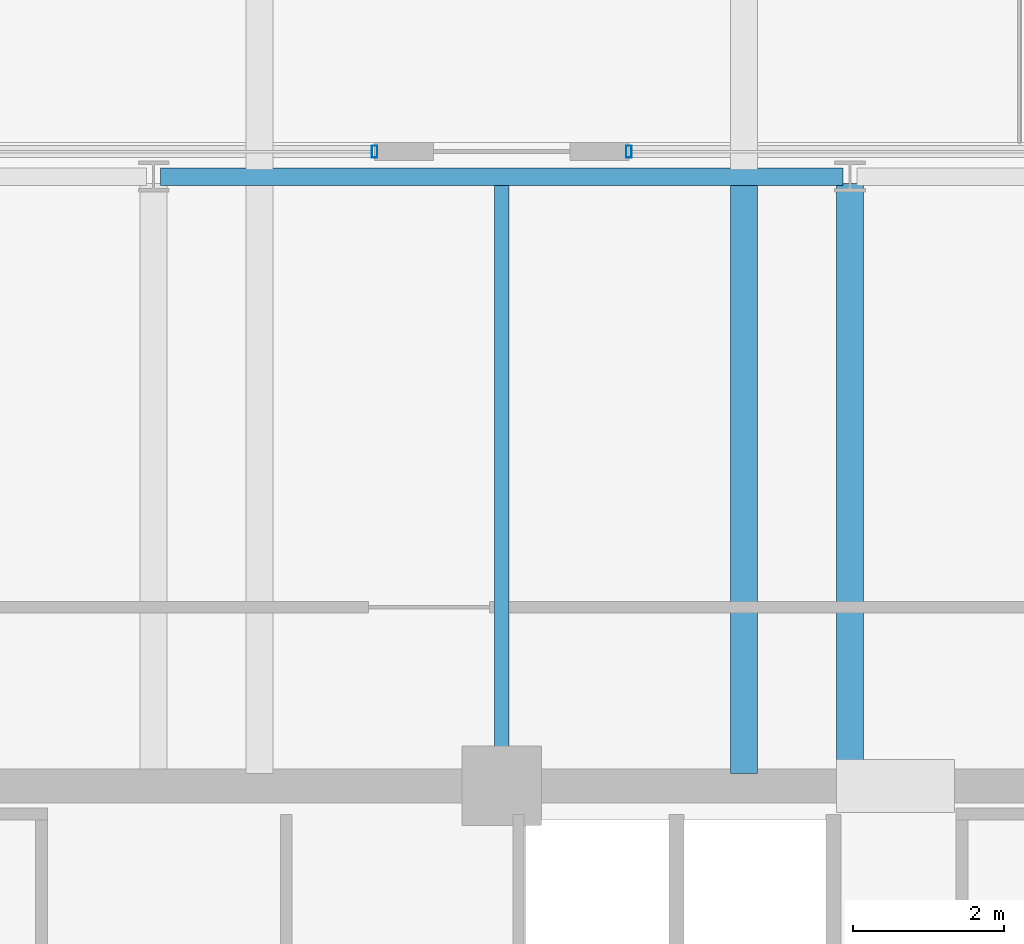
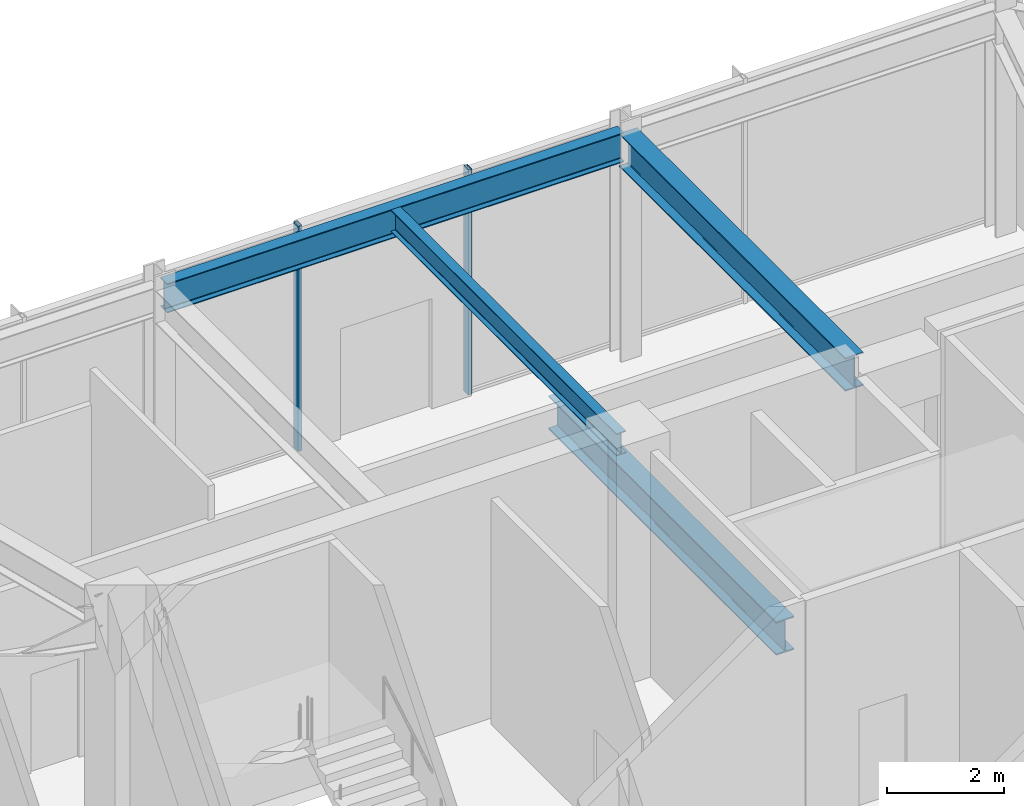
# One storey, part 17 of 31: 4 beams, 2 members, 2 elements without a shape of their own.
"""IFC4 building model written with IfcOpenShell, lengths in metres."""

from ifc_helpers import new_model, si_unit, direction, frame, origin, origin_2d, place, context, subcontext, project, spatial, hollow_rectangle, i_section, extrude, material, material_profile, profile_set, type_object, element, aggregate, save


model = new_model("IFC4")

# Units and contexts
model_context = context("Model", 3, precision=1e-05, world=origin(), true_north=direction((0.0, 1.0)))
body_context = subcontext(model_context, "Body", "Model", "MODEL_VIEW")
ifc_project = project(units=[si_unit("LENGTHUNIT", "METRE"), si_unit("AREAUNIT", "SQUARE_METRE"), si_unit("VOLUMEUNIT", "CUBIC_METRE"), si_unit("PLANEANGLEUNIT", "RADIAN"), si_unit("MASSUNIT", "GRAM", prefix="KILO")], contexts=[model_context])

# Site, building, storey
site_placement = place(None, origin())
site = spatial("IfcSite", under=ifc_project, at=site_placement, CompositionType="ELEMENT")
building_placement = place(site_placement, origin())
building = spatial("IfcBuilding", under=site, at=building_placement, Name="Kolvaren Belvedere", CompositionType="ELEMENT")
storey_placement = place(building_placement, frame((0.0, 0.0, 267.39990234375)))
storey = spatial("IfcBuildingStorey", under=building, at=storey_placement, Name="L77", CompositionType="ELEMENT", Elevation=267.39990234375)

# Beams
ifc_material_1 = material(Name="Structural steel ASTM A992 Grade 50", Category="steel")
ifc_material_profile_1 = material_profile(ifc_material_1, i_section(OverallWidth=0.35498046875, OverallDepth=0.696044921875, WebThickness=0.015380859375, FlangeThickness=0.02490234375, FilletRadius=0.02197265625, at=origin_2d()), Name="W27X146")
ifc_profile_set_1 = profile_set([ifc_material_profile_1], Name="Structural steel ASTM A992 Grade 50")
beam_type_1 = type_object("IfcBeamType", Name="BM-GIRD-W27X146", PredefinedType="BEAM", material=ifc_profile_set_1)
beam_1_placement = place(storey_placement, frame((3.199951171875, 10.06494140625, -0.6279296875), z_axis=(0.0, 1.0, 0.0), x_axis=(-1.0, 0.0, 0.0)))
element("IfcBeam", 1, at=beam_1_placement, inside=storey, type_object=beam_type_1, Name="L77 Balcony Interior Back-Span Girder LOOKOUT-N-2", PredefinedType="BEAM", context=body_context, shape_type="SweptSolid", body=[
    extrude(i_section(OverallWidth=0.35498046875, OverallDepth=0.696044921875, WebThickness=0.015380859375, FlangeThickness=0.02490234375, FilletRadius=0.02197265625, at=origin_2d()), origin(), (0.0, 0.0, 1.0), 7.7900390625),
])
beam_2_placement = place(storey_placement, frame((4.60009765625, 10.125, 4.35205078125), z_axis=(0.0, 1.0, 0.0), x_axis=(-1.0, 0.0, 0.0)))
element("IfcBeam", 2, at=beam_2_placement, inside=storey, type_object=beam_type_1, Name="L77 North Radial Girder P", PredefinedType="BEAM", context=body_context, shape_type="SweptSolid", body=[
    extrude(i_section(OverallWidth=0.35498046875, OverallDepth=0.696044921875, WebThickness=0.015380859375, FlangeThickness=0.02490234375, FilletRadius=0.02197265625, at=origin_2d()), origin(), (0.0, 0.0, 1.0), 7.7333984375),
])
ifc_material_2 = material(Name="Structural steel ASTM A992 Grade 50", Category="steel")
ifc_material_profile_2 = material_profile(ifc_material_2, i_section(OverallWidth=0.19091796875, OverallDepth=0.4599609375, WebThickness=0.010009765625, FlangeThickness=0.01611328125, FilletRadius=0.014892578125, at=origin_2d()), Name="W18X55")
ifc_profile_set_2 = profile_set([ifc_material_profile_2], Name="Structural steel ASTM A992 Grade 50")
beam_type_2 = type_object("IfcBeamType", Name="BM-JOIST-W18X55", PredefinedType="BEAM", material=ifc_profile_set_2)
beam_3_placement = place(storey_placement, frame((0.0, 10.125, 4.47021484375), z_axis=(0.0, 1.0, 0.0), x_axis=(-1.0, 0.0, 0.0)))
element("IfcBeam", 3, at=beam_3_placement, inside=storey, type_object=beam_type_2, Name="L77 North Centre Floor Beam", PredefinedType="BEAM", context=body_context, shape_type="SweptSolid", body=[
    extrude(i_section(OverallWidth=0.19091796875, OverallDepth=0.4599609375, WebThickness=0.010009765625, FlangeThickness=0.01611328125, FilletRadius=0.014892578125, at=origin_2d()), origin(), (0.0, 0.0, 1.0), 7.71044921875),
])
ifc_material_3 = material(Name="Structural steel ASTM A992 Grade 50", Category="steel")
ifc_material_profile_3 = material_profile(ifc_material_3, i_section(OverallWidth=0.22900390625, OverallDepth=0.612060546875, WebThickness=0.011962890625, FlangeThickness=0.01953125, FilletRadius=0.01806640625, at=origin_2d()), Name="W24X84")
ifc_profile_set_3 = profile_set([ifc_material_profile_3], Name="Structural steel ASTM A992 Grade 50")
beam_type_3 = type_object("IfcBeamType", Name="BM-SPAN-W24X84", PredefinedType="SPANDREL", material=ifc_profile_set_3)
beam_4_placement = place(storey_placement, frame((4.50830078125, 17.949951171875, 4.39404296875), z_axis=(-1.0, 0.0, 0.0), x_axis=(0.0, -1.0, 0.0)))
element("IfcBeam", 4, at=beam_4_placement, inside=storey, type_object=beam_type_3, Name="L77 Perimeter Spandrel N3-N2", PredefinedType="SPANDREL", context=body_context, shape_type="SweptSolid", body=[
    extrude(i_section(OverallWidth=0.22900390625, OverallDepth=0.612060546875, WebThickness=0.011962890625, FlangeThickness=0.01953125, FilletRadius=0.01806640625, at=origin_2d()), origin(), (0.0, 0.0, 1.0), 9.0166015625),
])

# Curtain wall, member
ifc_material_4 = material(Name="Anodised pale-metal aluminium AA 6063-T6", Category="aluminium")
curtain_wall_type = type_object("IfcCurtainWallType", Name="CW-CRN-OBS", PredefinedType="NOTDEFINED", material=ifc_material_4)
curtain_wall_1_placement = place(storey_placement, origin())
curtain_wall_1 = element("IfcCurtainWall", 5, at=curtain_wall_1_placement, inside=storey, type_object=curtain_wall_type, Name="L77 Unitised Curtain Wall FCW-L77-N1", PredefinedType="NOTDEFINED")
ifc_material_5 = material(Name="Anodised pale-metal aluminium AA 6063-T6", Category="aluminium")
ifc_material_profile_4 = material_profile(ifc_material_5, hollow_rectangle(XDim=0.074951171875, YDim=0.159912109375, WallThickness=0.00439453125, at=origin_2d()), Name="ALU-MUL-160X75")
ifc_profile_set_4 = profile_set([ifc_material_profile_4], Name="Anodised pale-metal aluminium AA 6063-T6")
member_type = type_object("IfcMemberType", Name="CW-MUL-160", PredefinedType="MULLION", material=ifc_profile_set_4)
member_1_placement = place(storey_placement, frame((-1.679931640625, 18.280029296875, 0.0), z_axis=(0.0, 0.0, 1.0), x_axis=(1.0, 0.0, 0.0)))
member_1 = element("IfcMember", 6, at=member_1_placement, type_object=member_type, Name="FCW-L77-N1 Unitised Mullion 3", PredefinedType="MULLION", context=body_context, shape_type="SweptSolid", body=[
    extrude(hollow_rectangle(XDim=0.074951171875, YDim=0.159912109375, WallThickness=0.00439453125, at=origin_2d()), origin(), (0.0, 0.0, 1.0), 4.7001953125),
])
aggregate(curtain_wall_1, [member_1])

curtain_wall_2_placement = place(storey_placement, origin())
curtain_wall_2 = element("IfcCurtainWall", 7, at=curtain_wall_2_placement, inside=storey, type_object=curtain_wall_type, Name="L77 Unitised Curtain Wall FCW-L77-N2", PredefinedType="NOTDEFINED")
member_2_placement = place(storey_placement, frame((1.679931640625, 18.280029296875, 0.0), z_axis=(0.0, 0.0, 1.0), x_axis=(1.0, 0.0, 0.0)))
member_2 = element("IfcMember", 8, at=member_2_placement, type_object=member_type, Name="FCW-L77-N2 Unitised Mullion 1", PredefinedType="MULLION", context=body_context, shape_type="SweptSolid", body=[
    extrude(hollow_rectangle(XDim=0.074951171875, YDim=0.159912109375, WallThickness=0.00439453125, at=origin_2d()), origin(), (0.0, 0.0, 1.0), 4.7001953125),
])
aggregate(curtain_wall_2, [member_2])

save(model, "model.ifc")
